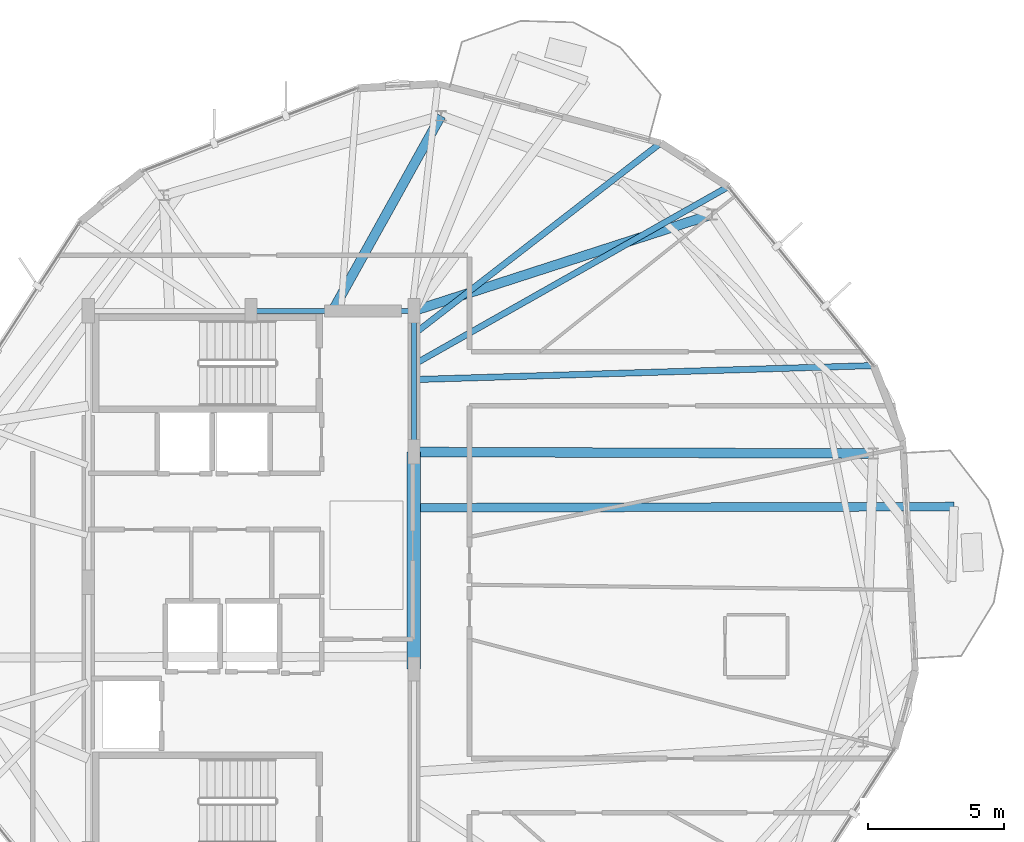
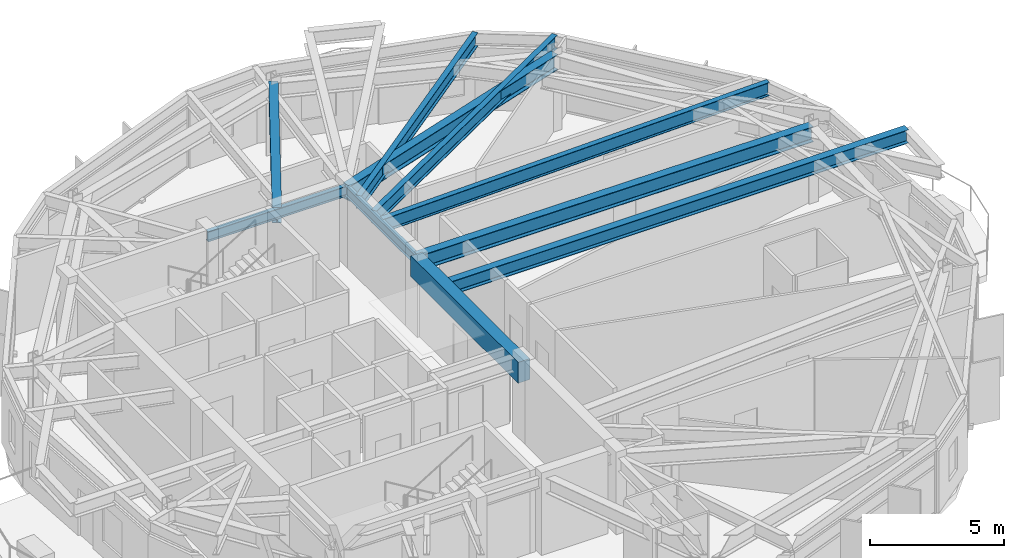
# One storey, part 11 of 26: 10 beams.
"""IFC4 building model written with IfcOpenShell, lengths in metres."""

from ifc_helpers import new_model, si_unit, direction, frame, origin, origin_2d, place, context, subcontext, project, spatial, rectangle, i_section, extrude, material, material_profile, profile_set, type_object, element, save


model = new_model("IFC4")

# Units and contexts
model_context = context("Model", 3, precision=1e-05, world=origin(), true_north=direction((0.0, 1.0)))
body_context = subcontext(model_context, "Body", "Model", "MODEL_VIEW")
ifc_project = project(units=[si_unit("LENGTHUNIT", "METRE"), si_unit("AREAUNIT", "SQUARE_METRE"), si_unit("VOLUMEUNIT", "CUBIC_METRE"), si_unit("PLANEANGLEUNIT", "RADIAN"), si_unit("MASSUNIT", "GRAM", prefix="KILO")], contexts=[model_context])

# Site, building, storey
site_placement = place(None, origin())
site = spatial("IfcSite", under=ifc_project, at=site_placement, CompositionType="ELEMENT")
building_placement = place(site_placement, origin())
building = spatial("IfcBuilding", under=site, at=building_placement, Name="Soratama Intermodal Tower", CompositionType="ELEMENT")
storey_placement = place(building_placement, frame((0.0, 0.0, 242.5)))
storey = spatial("IfcBuildingStorey", under=building, at=storey_placement, Name="L61", CompositionType="ELEMENT", Elevation=242.5)

# Beams
ifc_material_1 = material(Name="Structural steel ASTM A992 Grade 50", Category="steel")
ifc_material_profile_1 = material_profile(ifc_material_1, i_section(OverallWidth=0.324951171875, OverallDepth=0.615966796875, WebThickness=0.013916015625, FlangeThickness=0.021484375, FilletRadius=0.013916015625, at=origin_2d()), Name="W24X117")
ifc_profile_set_1 = profile_set([ifc_material_profile_1], Name="Structural steel ASTM A992 Grade 50")
beam_type_1 = type_object("IfcBeamType", Name="BM-CANT-W24X117", PredefinedType="BEAM", material=ifc_profile_set_1)
beam_1_placement = place(storey_placement, frame((44.8349609375, 27.741943359375, 3.14208984375), z_axis=(0.99999772174, 0.002134599304, 0.0), x_axis=(-0.002134599304, 0.99999772174, 0.0)))
element("IfcBeam", 1, at=beam_1_placement, inside=storey, type_object=beam_type_1, Name="BM-L61-CANT-1-2", PredefinedType="BEAM", context=body_context, shape_type="SweptSolid", body=[
    extrude(i_section(OverallWidth=0.324951171875, OverallDepth=0.615966796875, WebThickness=0.013916015625, FlangeThickness=0.021484375, FilletRadius=0.013916015625, at=origin_2d()), origin(), (0.0, 0.0, 1.0), 19.672119140625),
])
ifc_material_2 = material(Name="Concrete f'c 56 MPa", Category="concrete")
ifc_material_profile_2 = material_profile(ifc_material_2, rectangle(XDim=0.5, YDim=0.949951171875, at=origin_2d()), Name="RC500X950")
ifc_profile_set_2 = profile_set([ifc_material_profile_2], Name="Concrete f'c 56 MPa")
beam_type_2 = type_object("IfcBeamType", Name="BM-CPL-RC500X950", PredefinedType="BEAM", material=ifc_profile_set_2)
beam_2_placement = place(storey_placement, frame((44.60009765625, 21.800048828125, 2.97509765625), z_axis=(0.0, 1.0, 0.0), x_axis=(-1.0, 0.0, 0.0)))
element("IfcBeam", 2, at=beam_2_placement, inside=storey, type_object=beam_type_2, Name="L61 Core Coupling Beam East", PredefinedType="BEAM", context=body_context, shape_type="SweptSolid", body=[
    extrude(rectangle(XDim=0.5, YDim=0.949951171875, at=origin_2d()), origin(), (0.0, 0.0, 1.0), 8.0),
])
ifc_material_3 = material(Name="Structural steel ASTM A992 Grade 50", Category="steel")
ifc_material_profile_3 = material_profile(ifc_material_3, i_section(OverallWidth=0.19091796875, OverallDepth=0.4599609375, WebThickness=0.010009765625, FlangeThickness=0.01611328125, FilletRadius=0.010986328125, at=origin_2d()), Name="W18X55")
ifc_profile_set_3 = profile_set([ifc_material_profile_3], Name="Structural steel ASTM A992 Grade 50")
beam_type_3 = type_object("IfcBeamType", Name="BM-FLR-W18X55", PredefinedType="BEAM", material=ifc_profile_set_3)
beam_3_placement = place(storey_placement, frame((44.60009765625, 29.800048828125, 3.219970703125), z_axis=(0.0, 1.0, 0.0), x_axis=(-1.0, 0.0, 0.0)))
element("IfcBeam", 3, at=beam_3_placement, inside=storey, type_object=beam_type_3, Name="BM-L61-CRING-05", PredefinedType="BEAM", context=body_context, shape_type="SweptSolid", body=[
    extrude(i_section(OverallWidth=0.19091796875, OverallDepth=0.4599609375, WebThickness=0.010009765625, FlangeThickness=0.01611328125, FilletRadius=0.010986328125, at=origin_2d()), origin(), (0.0, 0.0, 1.0), 5.199951171875),
])
beam_4_placement = place(storey_placement, frame((44.60009765625, 35.0, 3.219970703125), z_axis=(-1.0, 0.0, 0.0), x_axis=(0.0, -1.0, 0.0)))
element("IfcBeam", 4, at=beam_4_placement, inside=storey, type_object=beam_type_3, Name="BM-L61-CRING-06", PredefinedType="BEAM", context=body_context, shape_type="SweptSolid", body=[
    extrude(i_section(OverallWidth=0.19091796875, OverallDepth=0.4599609375, WebThickness=0.010009765625, FlangeThickness=0.01611328125, FilletRadius=0.010986328125, at=origin_2d()), origin(), (0.0, 0.0, 1.0), 6.0),
])
ifc_material_4 = material(Name="Structural steel ASTM A992 Grade 50", Category="steel")
ifc_material_profile_4 = material_profile(ifc_material_4, i_section(OverallWidth=0.35498046875, OverallDepth=0.695068359375, WebThickness=0.015380859375, FlangeThickness=0.02490234375, FilletRadius=0.01611328125, at=origin_2d()), Name="W27X146")
ifc_profile_set_4 = profile_set([ifc_material_profile_4], Name="Structural steel ASTM A992 Grade 50")
beam_type_4 = type_object("IfcBeamType", Name="BM-RING-W27X146", PredefinedType="BEAM", material=ifc_profile_set_4)
beam_5_placement = place(storey_placement, frame((44.60009765625, 29.800048828125, 3.1025390625), z_axis=(0.999993913522, -0.003488971138, 0.0), x_axis=(0.003488971138, 0.999993913522, 0.0)))
element("IfcBeam", 5, at=beam_5_placement, inside=storey, type_object=beam_type_4, Name="BM-L61-RAD-01", PredefinedType="BEAM", context=body_context, shape_type="SweptSolid", body=[
    extrude(i_section(OverallWidth=0.35498046875, OverallDepth=0.695068359375, WebThickness=0.015380859375, FlangeThickness=0.02490234375, FilletRadius=0.01611328125, at=origin_2d()), origin(), (0.0, 0.0, 1.0), 16.933837890625),
])
beam_6_placement = place(storey_placement, frame((44.60009765625, 35.0, 3.1025390625), z_axis=(0.95147783512, 0.307717287904, 0.0), x_axis=(-0.307717287904, 0.95147783512, 0.0)))
element("IfcBeam", 6, at=beam_6_placement, inside=storey, type_object=beam_type_4, Name="BM-L61-RAD-02", PredefinedType="BEAM", context=body_context, shape_type="SweptSolid", body=[
    extrude(i_section(OverallWidth=0.35498046875, OverallDepth=0.695068359375, WebThickness=0.015380859375, FlangeThickness=0.02490234375, FilletRadius=0.01611328125, at=origin_2d()), origin(), (0.0, 0.0, 1.0), 11.54931640625),
])
beam_7_placement = place(storey_placement, frame((41.60009765625, 35.0, 3.1025390625), z_axis=(0.486161842523, 0.873868790423, 0.0), x_axis=(-0.873868790423, 0.486161842523, 0.0)))
element("IfcBeam", 7, at=beam_7_placement, inside=storey, type_object=beam_type_4, Name="BM-L61-RAD-03", PredefinedType="BEAM", context=body_context, shape_type="SweptSolid", body=[
    extrude(i_section(OverallWidth=0.35498046875, OverallDepth=0.695068359375, WebThickness=0.015380859375, FlangeThickness=0.02490234375, FilletRadius=0.01611328125, at=origin_2d()), origin(), (0.0, 0.0, 1.0), 8.227783203125),
])
ifc_material_5 = material(Name="Structural steel ASTM A992 Grade 50", Category="steel")
ifc_material_profile_5 = material_profile(ifc_material_5, i_section(OverallWidth=0.22900390625, OverallDepth=0.612060546875, WebThickness=0.011962890625, FlangeThickness=0.01953125, FilletRadius=0.012939453125, at=origin_2d()), Name="W24X84")
ifc_profile_set_5 = profile_set([ifc_material_profile_5], Name="Structural steel ASTM A992 Grade 50")
beam_type_5 = type_object("IfcBeamType", Name="BM-TIE-W24X84", PredefinedType="BEAM", material=ifc_profile_set_5)
beam_8_placement = place(storey_placement, frame((44.632080078125, 34.16796875, 3.14404296875), z_axis=(0.790661870255, 0.612253057914, 0.0), x_axis=(-0.612253057914, 0.790661870255, 0.0)))
element("IfcBeam", 8, at=beam_8_placement, inside=storey, type_object=beam_type_5, Name="BM-L61-TIE0-01", PredefinedType="BEAM", context=body_context, shape_type="SweptSolid", body=[
    extrude(i_section(OverallWidth=0.22900390625, OverallDepth=0.612060546875, WebThickness=0.011962890625, FlangeThickness=0.01953125, FilletRadius=0.012939453125, at=origin_2d()), origin(), (0.0, 0.0, 1.0), 11.467529296875),
])
beam_9_placement = place(storey_placement, frame((44.639892578125, 32.468017578125, 3.14404296875), z_axis=(0.999535163208, 0.030487005599, 0.0), x_axis=(-0.030487005599, 0.999535163208, 0.0)))
element("IfcBeam", 9, at=beam_9_placement, inside=storey, type_object=beam_type_5, Name="BM-L61-TIE0-10", PredefinedType="BEAM", context=body_context, shape_type="SweptSolid", body=[
    extrude(i_section(OverallWidth=0.22900390625, OverallDepth=0.612060546875, WebThickness=0.011962890625, FlangeThickness=0.01953125, FilletRadius=0.012939453125, at=origin_2d()), origin(), (0.0, 0.0, 1.0), 16.9208984375),
])
beam_10_placement = place(storey_placement, frame((44.635009765625, 33.04296875, 3.14404296875), z_axis=(0.870438129883, 0.492277830138, 0.0), x_axis=(-0.492277830138, 0.870438129883, 0.0)))
element("IfcBeam", 10, at=beam_10_placement, inside=storey, type_object=beam_type_5, Name="BM-L61-TIE1-10", PredefinedType="BEAM", context=body_context, shape_type="SweptSolid", body=[
    extrude(i_section(OverallWidth=0.22900390625, OverallDepth=0.612060546875, WebThickness=0.011962890625, FlangeThickness=0.01953125, FilletRadius=0.012939453125, at=origin_2d()), origin(), (0.0, 0.0, 1.0), 13.27490234375),
])

save(model, "model.ifc")
